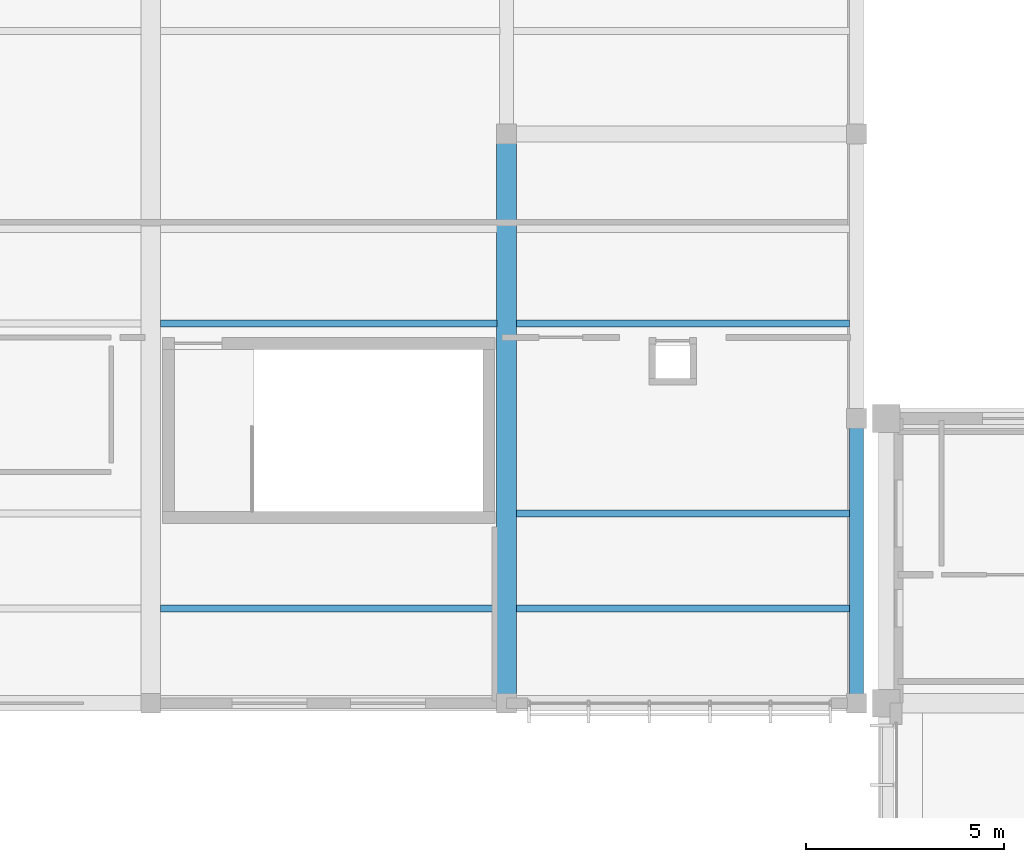
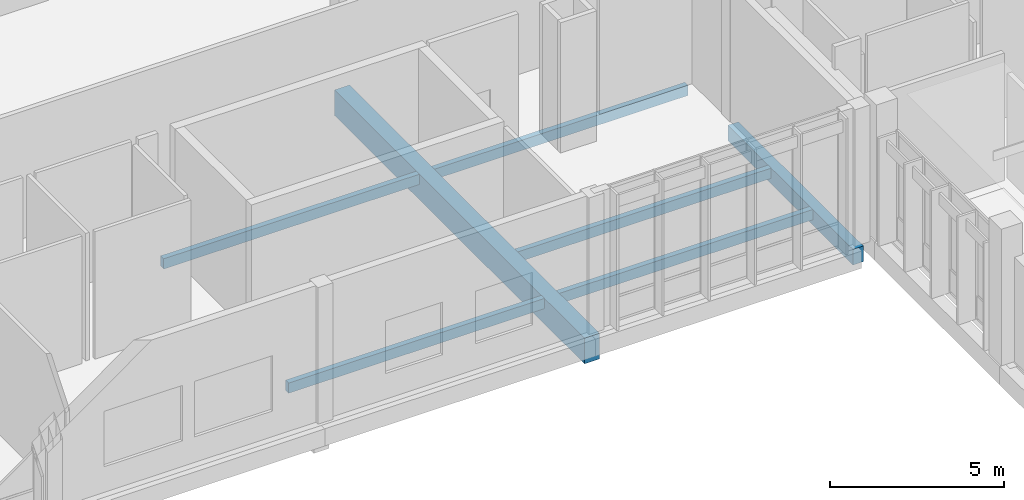
# One storey, part 53 of 177: 7 beams.
"""IFC4 building model written with IfcOpenShell, lengths in metres."""

from ifc_helpers import new_model, si_unit, direction, frame, origin, origin_2d, place, context, subcontext, project, spatial, rectangle, extrude, material, material_profile, profile_set, type_object, element, save


model = new_model("IFC4")

# Units and contexts
model_context = context("Model", 3, precision=1e-05, world=origin(), true_north=direction((0.0, 1.0)))
body_context = subcontext(model_context, "Body", "Model", "MODEL_VIEW")
ifc_project = project(units=[si_unit("LENGTHUNIT", "METRE"), si_unit("AREAUNIT", "SQUARE_METRE"), si_unit("VOLUMEUNIT", "CUBIC_METRE"), si_unit("PLANEANGLEUNIT", "RADIAN"), si_unit("MASSUNIT", "GRAM", prefix="KILO")], contexts=[model_context])

# Site, building, storey
site_placement = place(None, origin())
site = spatial("IfcSite", under=ifc_project, at=site_placement, CompositionType="ELEMENT")
building_placement = place(site_placement, origin())
building = spatial("IfcBuilding", under=site, at=building_placement, Name="Chiffa Square Polytechnic", CompositionType="ELEMENT")
storey_placement = place(building_placement, frame((0.0, 0.0, 4.800048828125)))
storey = spatial("IfcBuildingStorey", under=building, at=storey_placement, Name="L01", CompositionType="ELEMENT", Elevation=4.800048828125)

# Beams
ifc_material_1 = material(Name="Concrete C35/45", Category="concrete")
ifc_material_profile_1 = material_profile(ifc_material_1, rectangle(XDim=0.35009765625, YDim=0.550048828125, at=origin_2d()), Name="RC 350x550")
ifc_profile_set_1 = profile_set([ifc_material_profile_1], Name="Concrete C35/45")
beam_type_1 = type_object("IfcBeamType", Name="BM-RC-350X550", PredefinedType="BEAM", material=ifc_profile_set_1)
beam_1_placement = place(storey_placement, frame((111.449951171875, 21.60009765625, -0.554931640625), z_axis=(0.0, 1.0, 0.0), x_axis=(-1.0, 0.0, 0.0)))
element("IfcBeam", 1, at=beam_1_placement, inside=storey, type_object=beam_type_1, Name="Primary floor girder BM-V4-L01-Y-1114-0216", PredefinedType="BEAM", context=body_context, shape_type="SweptSolid", body=[
    extrude(rectangle(XDim=0.35009765625, YDim=0.550048828125, at=origin_2d()), origin(), (0.0, 0.0, 1.0), 7.199951171875),
])
ifc_material_2 = material(Name="Concrete C40/50", Category="concrete")
ifc_material_profile_2 = material_profile(ifc_material_2, rectangle(XDim=0.5, YDim=0.89990234375, at=origin_2d()), Name="RC 500x900")
ifc_profile_set_2 = profile_set([ifc_material_profile_2], Name="Concrete C40/50")
beam_type_2 = type_object("IfcBeamType", Name="BM-RC-500X900", PredefinedType="BEAM", material=ifc_profile_set_2)
beam_2_placement = place(storey_placement, frame((102.60009765625, 21.60009765625, -0.72998046875), z_axis=(0.0, 1.0, 0.0), x_axis=(-1.0, 0.0, 0.0)))
element("IfcBeam", 2, at=beam_2_placement, inside=storey, type_object=beam_type_2, Name="Primary floor girder BM-V4-L01-Y-1026-0216", PredefinedType="BEAM", context=body_context, shape_type="SweptSolid", body=[
    extrude(rectangle(XDim=0.5, YDim=0.89990234375, at=origin_2d()), origin(), (0.0, 0.0, 1.0), 14.39990234375),
])
ifc_material_3 = material(Name="Glulam GL28h", Category="wood")
ifc_material_profile_3 = material_profile(ifc_material_3, rectangle(XDim=0.179931640625, YDim=0.360107421875, at=origin_2d()), Name="GL28h 180x360")
ifc_profile_set_3 = profile_set([ifc_material_profile_3], Name="Glulam GL28h")
beam_type_3 = type_object("IfcBeamType", Name="JST-GL-180X360", PredefinedType="JOIST", material=ifc_profile_set_3)
for number, where, z_axis, x_axis, name in (
    (3, (93.847900390625, 24.0, -0.4599609375), (1.0, 0.0, 0.0), (0.0, 1.0, 0.0), "Secondary floor joist JST-V4-L01-0936-0240"),
    (4, (93.847900390625, 31.199951171875, -0.4599609375), (1.0, 0.0, 0.0), (0.0, 1.0, 0.0), "Secondary floor joist JST-V4-L01-0936-0312"),
):
    element("IfcBeam", number, at=place(storey_placement, frame(where, z_axis=z_axis, x_axis=x_axis)), inside=storey, type_object=beam_type_3, Name=name, PredefinedType="JOIST", context=body_context, shape_type="SweptSolid", body=[
        extrude(rectangle(XDim=0.179931640625, YDim=0.360107421875, at=origin_2d()), origin(), (0.0, 0.0, 1.0), 8.504150390625),
    ])
for number, where, z_axis, x_axis, name in (
    (5, (102.847900390625, 24.0, -0.4599609375), (1.0, 0.0, 0.0), (0.0, 1.0, 0.0), "Secondary floor joist JST-V4-L01-1026-0240"),
    (6, (102.847900390625, 26.39990234375, -0.4599609375), (1.0, 0.0, 0.0), (0.0, 1.0, 0.0), "Secondary floor joist JST-V4-L01-1026-0264"),
    (7, (102.847900390625, 31.199951171875, -0.4599609375), (1.0, 0.0, 0.0), (0.0, 1.0, 0.0), "Secondary floor joist JST-V4-L01-1026-0312"),
):
    element("IfcBeam", number, at=place(storey_placement, frame(where, z_axis=z_axis, x_axis=x_axis)), inside=storey, type_object=beam_type_3, Name=name, PredefinedType="JOIST", context=body_context, shape_type="SweptSolid", body=[
        extrude(rectangle(XDim=0.179931640625, YDim=0.360107421875, at=origin_2d()), origin(), (0.0, 0.0, 1.0), 8.42919921875),
    ])

save(model, "model.ifc")
